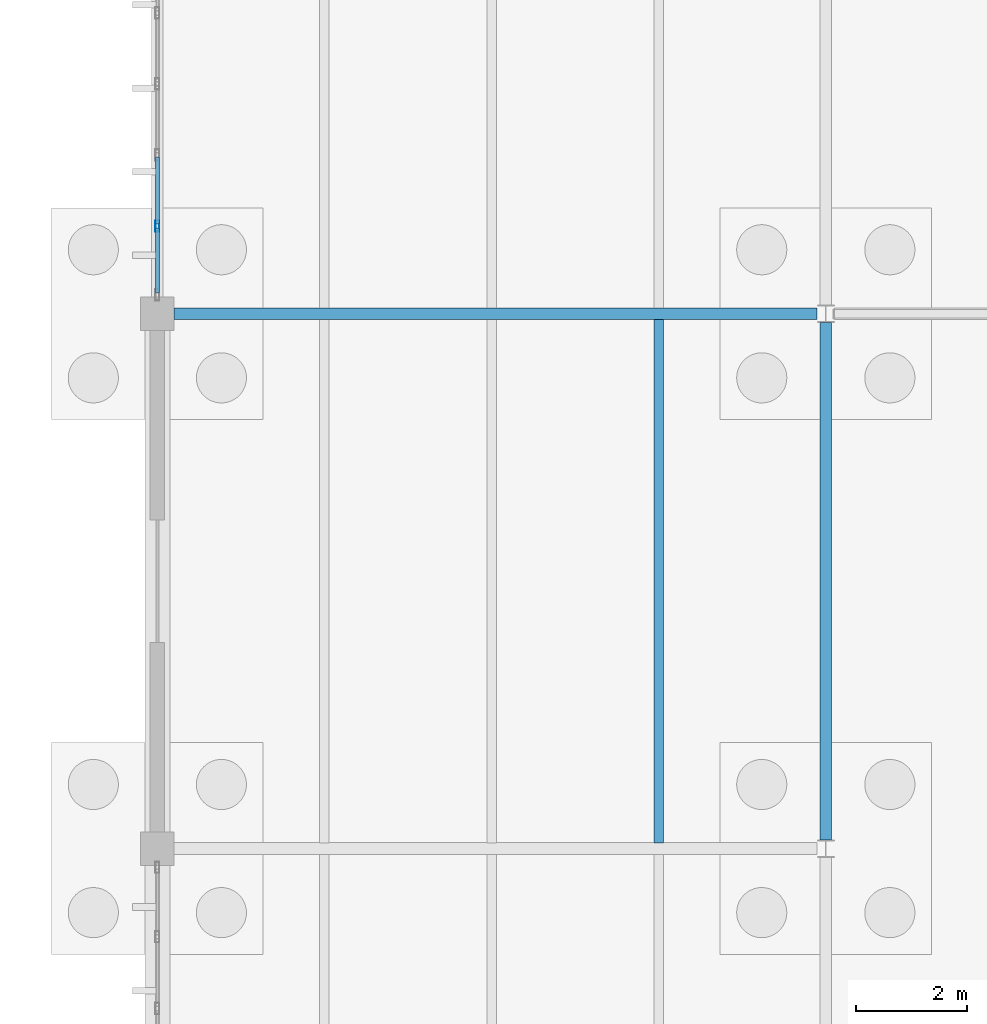
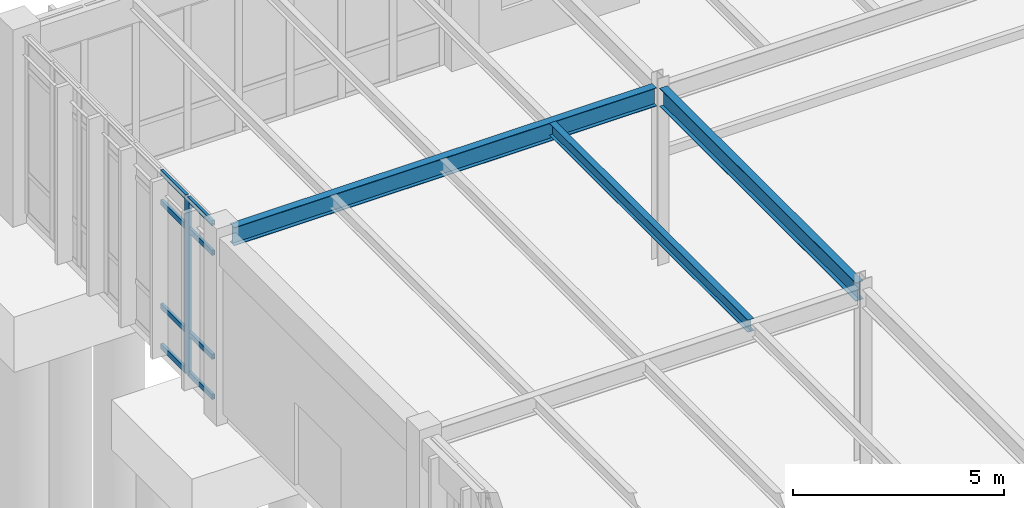
# One storey, part 70 of 188: 9 members, 3 beams, 1 element without a shape of its own.
"""IFC4 building model written with IfcOpenShell, lengths in metres."""

from ifc_helpers import new_model, si_unit, direction, frame, origin, origin_2d, place, context, subcontext, project, spatial, hollow_rectangle, i_section, extrude, material, layer, layer_set, material_profile, profile_set, type_object, element, aggregate, save


model = new_model("IFC4")

# Units and contexts
model_context = context("Model", 3, precision=1e-05, world=origin(), true_north=direction((0.0, 1.0)))
body_context = subcontext(model_context, "Body", "Model", "MODEL_VIEW")
ifc_project = project(units=[si_unit("LENGTHUNIT", "METRE"), si_unit("AREAUNIT", "SQUARE_METRE"), si_unit("VOLUMEUNIT", "CUBIC_METRE"), si_unit("PLANEANGLEUNIT", "RADIAN"), si_unit("MASSUNIT", "GRAM", prefix="KILO")], contexts=[model_context])

# Site, building, storey
site_placement = place(None, origin())
site = spatial("IfcSite", under=ifc_project, at=site_placement, CompositionType="ELEMENT")
building_placement = place(site_placement, origin())
building = spatial("IfcBuilding", under=site, at=building_placement, Name="Pandanus Reach Market Hall", CompositionType="ELEMENT")
storey_placement = place(building_placement, origin())
storey = spatial("IfcBuildingStorey", under=building, at=storey_placement, Name="L00", CompositionType="ELEMENT", Elevation=0.0)

# Beams
ifc_material_1 = material(Name="Steel Grade 350 (350 MPa)", Category="steel")
ifc_material_profile_1 = material_profile(ifc_material_1, i_section(OverallWidth=0.208984375, OverallDepth=0.532958984375, WebThickness=0.01025390625, FlangeThickness=0.015625, at=origin_2d()), Name="530UB92.4", Category="LoadBearing")
ifc_profile_set_1 = profile_set([ifc_material_profile_1], Name="Steel Grade 350 (350 MPa)")
beam_type_1 = type_object("IfcBeamType", Name="BM-UB530-I", PredefinedType="BEAM", material=ifc_profile_set_1)
beam_1_placement = place(storey_placement, frame((48.298095703125, 76.800048828125, 4.85302734375), z_axis=(1.0, 0.0, 0.0), x_axis=(0.0, 1.0, 0.0)))
element("IfcBeam", 1, at=beam_1_placement, inside=storey, type_object=beam_type_1, Name="Framing beam BM-UB530-I L00.1052", PredefinedType="BEAM", context=body_context, shape_type="SweptSolid", body=[
    extrude(i_section(OverallWidth=0.208984375, OverallDepth=0.532958984375, WebThickness=0.01025390625, FlangeThickness=0.015625, at=origin_2d()), origin(), (0.0, 0.0, 1.0), 11.54638671875),
])
beam_2_placement = place(storey_placement, frame((60.0, 67.35546875, 4.85302734375), z_axis=(0.0, 1.0, 0.0), x_axis=(-1.0, 0.0, 0.0)))
element("IfcBeam", 2, at=beam_2_placement, inside=storey, type_object=beam_type_1, Name="Framing beam BM-UB530-I L00.1101", PredefinedType="BEAM", context=body_context, shape_type="SweptSolid", body=[
    extrude(i_section(OverallWidth=0.208984375, OverallDepth=0.532958984375, WebThickness=0.01025390625, FlangeThickness=0.015625, at=origin_2d()), origin(), (0.0, 0.0, 1.0), 9.2890625),
])

# Curtain wall, members
ifc_material_2 = material(Name="Bronze anodised aluminium and low-E glass", Category="aluminium")
ifc_layer = layer(ifc_material_2, 0.199951171875, Name="CW-03")
ifc_layer_set = layer_set([ifc_layer], Name="Bronze anodised aluminium and low-E glass")
curtain_wall_type = type_object("IfcCurtainWallType", Name="CW-03", PredefinedType="NOTDEFINED", material=ifc_layer_set)
curtain_wall_placement = place(storey_placement, origin())
curtain_wall = element("IfcCurtainWall", 3, at=curtain_wall_placement, inside=storey, type_object=curtain_wall_type, Name="Glazed curtain wall CW-03 CW-0034", PredefinedType="NOTDEFINED")
ifc_material_3 = material(Name="Bronze anodised aluminium", Category="aluminium")
ifc_material_profile_2 = material_profile(ifc_material_3, hollow_rectangle(XDim=0.074951171875, YDim=0.199951171875, WallThickness=0.00439453125, at=origin_2d()), Name="ALU75x200", Category="LoadBearing")
ifc_profile_set_2 = profile_set([ifc_material_profile_2], Name="Bronze anodised aluminium")
member_type_1 = type_object("IfcMemberType", Name="CW-M2", PredefinedType="MULLION", material=ifc_profile_set_2)
member_1_placement = place(storey_placement, frame((48.0, 78.375, 0.0), z_axis=(0.0, 0.0, 1.0), x_axis=(-1.0, 0.0, 0.0)))
member_1 = element("IfcMember", 4, at=member_1_placement, type_object=member_type_1, Name="CW-03 mullion 2", PredefinedType="MULLION", context=body_context, shape_type="SweptSolid", body=[
    extrude(hollow_rectangle(XDim=0.074951171875, YDim=0.199951171875, WallThickness=0.00439453125, at=origin_2d()), origin(), (0.0, 0.0, 1.0), 5.10009765625),
])
ifc_material_profile_3 = material_profile(ifc_material_3, hollow_rectangle(XDim=0.074951171875, YDim=0.14990234375, WallThickness=0.00439453125, at=origin_2d()), Name="ALU75x150", Category="LoadBearing")
ifc_profile_set_3 = profile_set([ifc_material_profile_3], Name="Bronze anodised aluminium")
member_type_2 = type_object("IfcMemberType", Name="CW-T2", PredefinedType="USERDEFINED", material=ifc_profile_set_3)
member_2_placement = place(storey_placement, frame((48.0, 77.175048828125, 0.03759765625), z_axis=(0.0, 1.0, 0.0), x_axis=(-1.0, 0.0, 0.0)))
member_2 = element("IfcMember", 5, at=member_2_placement, type_object=member_type_2, Name="CW-03 transom 1.1", ObjectType="TRANSOM", PredefinedType="USERDEFINED", context=body_context, shape_type="SweptSolid", body=[
    extrude(hollow_rectangle(XDim=0.074951171875, YDim=0.14990234375, WallThickness=0.00439453125, at=origin_2d()), origin(), (0.0, 0.0, 1.0), 1.162353515625),
])
member_3_placement = place(storey_placement, frame((48.0, 77.175048828125, 1.199951171875), z_axis=(0.0, 1.0, 0.0), x_axis=(-1.0, 0.0, 0.0)))
member_3 = element("IfcMember", 6, at=member_3_placement, type_object=member_type_2, Name="CW-03 transom 1.2", ObjectType="TRANSOM", PredefinedType="USERDEFINED", context=body_context, shape_type="SweptSolid", body=[
    extrude(hollow_rectangle(XDim=0.074951171875, YDim=0.14990234375, WallThickness=0.00439453125, at=origin_2d()), origin(), (0.0, 0.0, 1.0), 1.162353515625),
])
member_4_placement = place(storey_placement, frame((48.0, 77.175048828125, 4.199951171875), z_axis=(0.0, 1.0, 0.0), x_axis=(-1.0, 0.0, 0.0)))
member_4 = element("IfcMember", 7, at=member_4_placement, type_object=member_type_2, Name="CW-03 transom 1.3", ObjectType="TRANSOM", PredefinedType="USERDEFINED", context=body_context, shape_type="SweptSolid", body=[
    extrude(hollow_rectangle(XDim=0.074951171875, YDim=0.14990234375, WallThickness=0.00439453125, at=origin_2d()), origin(), (0.0, 0.0, 1.0), 1.162353515625),
])
member_5_placement = place(storey_placement, frame((48.0, 77.175048828125, 5.0625), z_axis=(0.0, 1.0, 0.0), x_axis=(-1.0, 0.0, 0.0)))
member_5 = element("IfcMember", 8, at=member_5_placement, type_object=member_type_2, Name="CW-03 transom 1.4", ObjectType="TRANSOM", PredefinedType="USERDEFINED", context=body_context, shape_type="SweptSolid", body=[
    extrude(hollow_rectangle(XDim=0.074951171875, YDim=0.14990234375, WallThickness=0.00439453125, at=origin_2d()), origin(), (0.0, 0.0, 1.0), 1.162353515625),
])
member_6_placement = place(storey_placement, frame((48.0, 78.41259765625, 0.03759765625), z_axis=(0.0, 1.0, 0.0), x_axis=(-1.0, 0.0, 0.0)))
member_6 = element("IfcMember", 9, at=member_6_placement, type_object=member_type_2, Name="CW-03 transom 2.1", ObjectType="TRANSOM", PredefinedType="USERDEFINED", context=body_context, shape_type="SweptSolid", body=[
    extrude(hollow_rectangle(XDim=0.074951171875, YDim=0.14990234375, WallThickness=0.00439453125, at=origin_2d()), origin(), (0.0, 0.0, 1.0), 1.199951171875),
])
member_7_placement = place(storey_placement, frame((48.0, 78.41259765625, 1.199951171875), z_axis=(0.0, 1.0, 0.0), x_axis=(-1.0, 0.0, 0.0)))
member_7 = element("IfcMember", 10, at=member_7_placement, type_object=member_type_2, Name="CW-03 transom 2.2", ObjectType="TRANSOM", PredefinedType="USERDEFINED", context=body_context, shape_type="SweptSolid", body=[
    extrude(hollow_rectangle(XDim=0.074951171875, YDim=0.14990234375, WallThickness=0.00439453125, at=origin_2d()), origin(), (0.0, 0.0, 1.0), 1.199951171875),
])
member_8_placement = place(storey_placement, frame((48.0, 78.41259765625, 4.199951171875), z_axis=(0.0, 1.0, 0.0), x_axis=(-1.0, 0.0, 0.0)))
member_8 = element("IfcMember", 11, at=member_8_placement, type_object=member_type_2, Name="CW-03 transom 2.3", ObjectType="TRANSOM", PredefinedType="USERDEFINED", context=body_context, shape_type="SweptSolid", body=[
    extrude(hollow_rectangle(XDim=0.074951171875, YDim=0.14990234375, WallThickness=0.00439453125, at=origin_2d()), origin(), (0.0, 0.0, 1.0), 1.199951171875),
])
member_9_placement = place(storey_placement, frame((48.0, 78.41259765625, 5.0625), z_axis=(0.0, 1.0, 0.0), x_axis=(-1.0, 0.0, 0.0)))
member_9 = element("IfcMember", 12, at=member_9_placement, type_object=member_type_2, Name="CW-03 transom 2.4", ObjectType="TRANSOM", PredefinedType="USERDEFINED", context=body_context, shape_type="SweptSolid", body=[
    extrude(hollow_rectangle(XDim=0.074951171875, YDim=0.14990234375, WallThickness=0.00439453125, at=origin_2d()), origin(), (0.0, 0.0, 1.0), 1.199951171875),
])
aggregate(curtain_wall, [member_1, member_2, member_3, member_4, member_5, member_6, member_7, member_8, member_9])

# Beam
ifc_material_profile_4 = material_profile(ifc_material_1, i_section(OverallWidth=0.1708984375, OverallDepth=0.35595703125, WebThickness=0.00732421875, FlangeThickness=0.011474609375, at=origin_2d()), Name="360UB50.7", Category="LoadBearing")
ifc_profile_set_4 = profile_set([ifc_material_profile_4], Name="Steel Grade 350 (350 MPa)")
beam_type_2 = type_object("IfcBeamType", Name="JS-UB360-I", PredefinedType="JOIST", material=ifc_profile_set_4)
beam_3_placement = place(storey_placement, frame((57.0, 67.302490234375, 4.941650390625), z_axis=(0.0, 1.0, 0.0), x_axis=(-1.0, 0.0, 0.0)))
element("IfcBeam", 13, at=beam_3_placement, inside=storey, type_object=beam_type_2, Name="Secondary joist JS-UB360-I L00.1104", PredefinedType="JOIST", context=body_context, shape_type="SweptSolid", body=[
    extrude(i_section(OverallWidth=0.1708984375, OverallDepth=0.35595703125, WebThickness=0.00732421875, FlangeThickness=0.011474609375, at=origin_2d()), origin(), (0.0, 0.0, 1.0), 9.39501953125),
])

save(model, "model.ifc")
